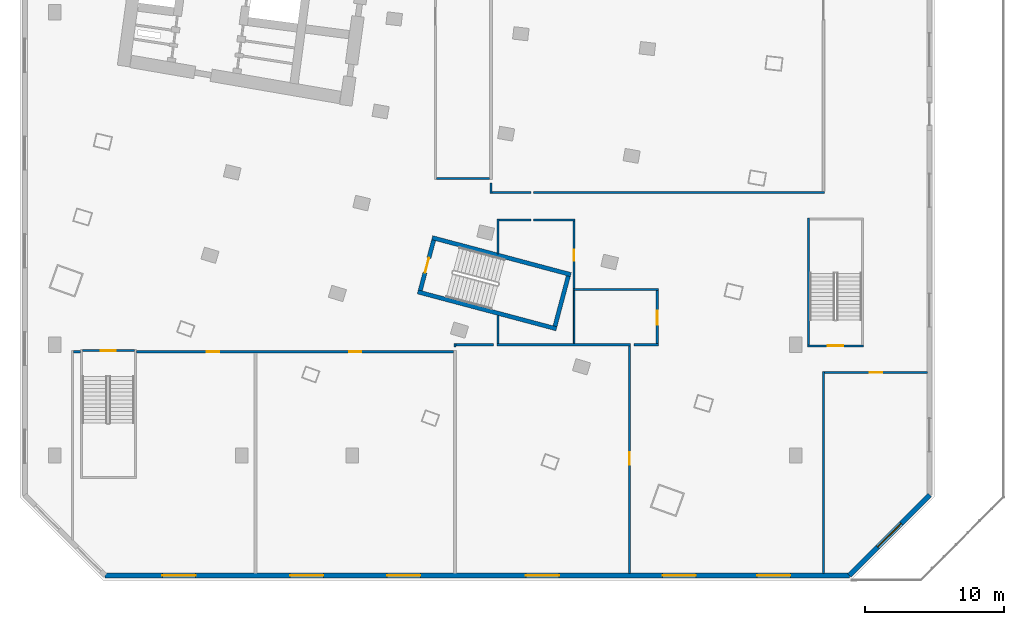
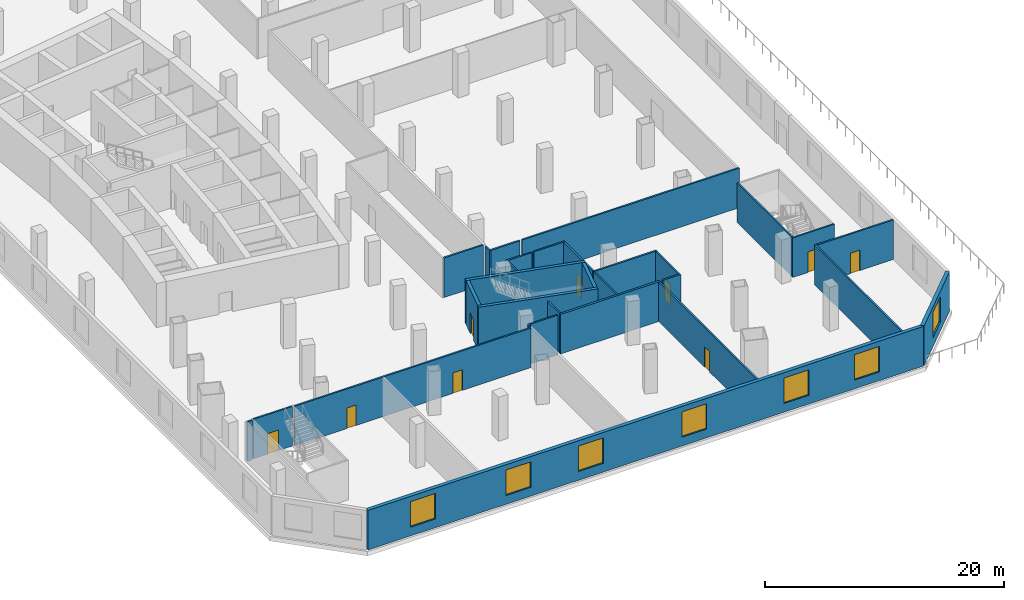
# One storey, part 2 of 14: 30 walls, 9 doors, 7 windows, 16 openings.
"""IFC4 building model written with IfcOpenShell, lengths in metres."""

import ifcopenshell
import ifcopenshell.guid

model = None  # the IFC model being written
_history = None  # IfcOwnerHistory: only IFC2X3 demands one
_inside = {}  # id of a spatial element -> (the spatial element, [elements in it])
_under = {}  # id of a project, library or spatial element -> (it, [spatial elements below it])
_declared = {}  # id of a project -> (the project, [libraries it declares])
_typed = {}  # id of a type object -> (the type object, [elements of that type])
_made_of = {}  # id of a material, layer set ... -> (it, [elements and type objects made of it])


def new_model(schema):
    """Start an empty IFC model of exactly this schema.

    Asked for "IFC4X3", IfcOpenShell would pick the latest addendum, in which some entities
    have other attributes; the version numbers below select the first issue.
    IFC2X3 requires an IfcOwnerHistory on every rooted entity: one is made here for all.
    """
    global model, _history
    if schema == "IFC4X3":
        model = ifcopenshell.file(schema_version=(4, 3, 0, 0))
    else:
        model = ifcopenshell.file(schema=schema)
    _inside.clear()
    _under.clear()
    _declared.clear()
    _typed.clear()
    _made_of.clear()
    _history = None
    if model.schema == "IFC2X3":
        org = make("IfcOrganization", Name="unknown")
        user = make(
            "IfcPersonAndOrganization",
            ThePerson=make("IfcPerson", FamilyName="unknown"),
            TheOrganization=org,
        )
        app = make(
            "IfcApplication",
            ApplicationDeveloper=org,
            Version="unknown",
            ApplicationFullName="unknown",
            ApplicationIdentifier="unknown",
        )
        _history = make(
            "IfcOwnerHistory",
            OwningUser=user,
            OwningApplication=app,
            ChangeAction="ADDED",
            CreationDate=0,
        )
    return model


def make(cls, **values):
    """One entity of the class cls with the attributes given. An attribute that is None is left unset."""
    return model.create_entity(
        cls, **{name: value for name, value in values.items() if value is not None}
    )


def rooted(cls, **values):
    """An entity with a GlobalId (a new one), such as an element, a storey or a relation."""
    return make(cls, GlobalId=ifcopenshell.guid.new(), OwnerHistory=_history, **values)


def si_unit(unit_type, name, prefix=None):
    """IfcSIUnit, for example si_unit("LENGTHUNIT", "METRE", prefix="MILLI")."""
    return make("IfcSIUnit", UnitType=unit_type, Prefix=prefix, Name=name)


def assignment(units):
    """IfcUnitAssignment: the units of a project."""
    return None if units is None else make("IfcUnitAssignment", Units=units)


def point(xyz):
    """IfcCartesianPoint."""
    return None if xyz is None else make("IfcCartesianPoint", Coordinates=xyz)


def direction(xyz):
    """IfcDirection."""
    return None if xyz is None else make("IfcDirection", DirectionRatios=xyz)


def frame(location, z_axis=None, x_axis=None):
    """IfcAxis2Placement3D, a coordinate frame: its origin and axes. An axis left out is left unset."""
    return make(
        "IfcAxis2Placement3D",
        Location=point(location),
        Axis=direction(z_axis),
        RefDirection=direction(x_axis),
    )


def frame_2d(location, x_axis=None):
    """IfcAxis2Placement2D, a coordinate frame in the plane: its origin and x axis."""
    return make(
        "IfcAxis2Placement2D", Location=point(location), RefDirection=direction(x_axis)
    )


def origin():
    """The frame at (0, 0, 0) with its axes left unset."""
    return frame((0.0, 0.0, 0.0))


def place(relative_to, where):
    """IfcLocalPlacement: puts the frame where relative to a parent placement (None: the world)."""
    return make(
        "IfcLocalPlacement", PlacementRelTo=relative_to, RelativePlacement=where
    )


def context(
    kind, dimensions, precision=None, world=None, true_north=None, identifier=None
):
    """IfcGeometricRepresentationContext, for example the 3D "Model" context."""
    return make(
        "IfcGeometricRepresentationContext",
        ContextIdentifier=identifier,
        ContextType=kind,
        CoordinateSpaceDimension=dimensions,
        Precision=precision,
        WorldCoordinateSystem=world,
        TrueNorth=true_north,
    )


def subcontext(parent, identifier, kind, view, scale=None):
    """IfcGeometricRepresentationSubContext, for example "Body" below "Model"."""
    return make(
        "IfcGeometricRepresentationSubContext",
        ContextIdentifier=identifier,
        ContextType=kind,
        ParentContext=parent,
        TargetScale=scale,
        TargetView=view,
    )


def project(units=None, contexts=None):
    """IfcProject with its units and contexts."""
    return rooted(
        "IfcProject",
        Name="project",
        RepresentationContexts=contexts,
        UnitsInContext=assignment(units),
    )


def spatial(cls, under=None, at=None, **own):
    """A site, building, storey or space (cls), placed at a placement, below another one or the project."""
    s = rooted(cls, ObjectPlacement=at, **own)
    if under is not None:
        _under.setdefault(under.id(), (under, []))[1].append(s)
    return s


def profile(cls, at=None, kind="AREA", **sizes):
    """A parametric profile (cls). Its sizes go by their IFC names, for example OverallWidth=200.0."""
    return make(cls, ProfileType=kind, Position=at, **sizes)


def rectangle(**sizes):
    """IfcRectangleProfileDef."""
    return profile("IfcRectangleProfileDef", **sizes)


def extrude(swept, where, along, depth):
    """IfcExtrudedAreaSolid: the profile swept, set in the frame where, extruded along a direction by depth."""
    return make(
        "IfcExtrudedAreaSolid",
        SweptArea=swept,
        Position=where,
        ExtrudedDirection=direction(along),
        Depth=depth,
    )


def shape(context_of_items, identifier, shape_type, items):
    """IfcShapeRepresentation: the items that make up one representation, for example the "Body"."""
    return make(
        "IfcShapeRepresentation",
        ContextOfItems=context_of_items,
        RepresentationIdentifier=identifier,
        RepresentationType=shape_type,
        Items=items,
    )


def material(Name=None, Category=None):
    """IfcMaterial."""
    return make("IfcMaterial", Name=Name, Category=Category)


def layer(
    of_material, thickness, ventilated=None, Name=None, Category=None, Priority=None
):
    """IfcMaterialLayer: one layer of a wall or slab, of a material (None: an air gap)."""
    return make(
        "IfcMaterialLayer",
        Material=of_material,
        LayerThickness=thickness,
        IsVentilated=ventilated,
        Name=Name,
        Category=Category,
        Priority=Priority,
    )


def layer_set(layers, Name=None):
    """IfcMaterialLayerSet."""
    return make("IfcMaterialLayerSet", MaterialLayers=layers, LayerSetName=Name)


def made_of(thing, what):
    """Note that an element or type object is made of a material, layer set ...; save() writes the relation."""
    if what is not None:
        _made_of.setdefault(what.id(), (what, []))[1].append(thing)
    return thing


def type_object(cls, material=None, **own):
    """A type object (cls), such as IfcWallType, which elements share."""
    return made_of(rooted(cls, **own), material)


def element(
    cls,
    number,
    at=None,
    inside=None,
    cuts=None,
    type_object=None,
    material=None,
    context=None,
    identifier="Body",
    shape_type=None,
    held_by="IfcProductDefinitionShape",
    body=None,
    shapes=None,
    **own,
):
    """One element of the class cls, such as IfcWall. Its Tag is "e" and its number.

    at: its placement. inside: the storey or other place that contains it. cuts: it is an
    opening in that element (IfcRelVoidsElement). A single representation is given by context,
    identifier, shape_type and body (its items); several are given by shapes. held_by: the class
    of the entity that holds the representations. save() writes the other relations.
    """
    e = rooted(cls, Tag="e%d" % number, ObjectPlacement=at, **own)
    if body is not None:
        shapes = [shape(context, identifier, shape_type, body)]
    if shapes is not None:
        e.Representation = make(held_by, Representations=shapes)
    if inside is not None:
        _inside.setdefault(inside.id(), (inside, []))[1].append(e)
    if cuts is not None:
        rooted(
            "IfcRelVoidsElement", RelatingBuildingElement=cuts, RelatedOpeningElement=e
        )
    if type_object is not None:
        _typed.setdefault(type_object.id(), (type_object, []))[1].append(e)
    return made_of(e, material)


def fill(opening, filler):
    """IfcRelFillsElement: the door or window that sits in an opening."""
    return rooted(
        "IfcRelFillsElement",
        RelatingOpeningElement=opening,
        RelatedBuildingElement=filler,
    )


def aggregate(whole, parts):
    """IfcRelAggregates: a whole, such as a stair, and the parts it consists of."""
    return rooted("IfcRelAggregates", RelatingObject=whole, RelatedObjects=parts)


def save(model, path):
    """Write the relations noted so far, then the file.

    IfcRelAggregates (storeys below a building ...), IfcRelContainedInSpatialStructure (elements
    in a storey), IfcRelDefinesByType, IfcRelAssociatesMaterial and IfcRelDeclares: one each for
    every whole, place, type object, material and project.
    """
    for whole, parts in _under.values():
        aggregate(whole, parts)
    for where, things in _inside.values():
        rooted(
            "IfcRelContainedInSpatialStructure",
            RelatedElements=things,
            RelatingStructure=where,
        )
    for kind, things in _typed.values():
        rooted("IfcRelDefinesByType", RelatedObjects=things, RelatingType=kind)
    for what, things in _made_of.values():
        rooted("IfcRelAssociatesMaterial", RelatedObjects=things, RelatingMaterial=what)
    for by, libraries in _declared.values():
        rooted("IfcRelDeclares", RelatingContext=by, RelatedDefinitions=libraries)
    model.write(path)


model = new_model("IFC4")

# Units and contexts
model_context = context("Model", 3, precision=1e-05, world=origin(), true_north=direction((0.0, 1.0)))
body_context = subcontext(model_context, "Body", "Model", "MODEL_VIEW")
ifc_project = project(units=[si_unit("LENGTHUNIT", "METRE"), si_unit("AREAUNIT", "SQUARE_METRE"), si_unit("VOLUMEUNIT", "CUBIC_METRE"), si_unit("PLANEANGLEUNIT", "RADIAN"), si_unit("MASSUNIT", "GRAM", prefix="KILO")], contexts=[model_context])

# Site, building, storey
site_placement = place(None, origin())
site = spatial("IfcSite", under=ifc_project, at=site_placement, CompositionType="ELEMENT")
building_placement = place(site_placement, origin())
building = spatial("IfcBuilding", under=site, at=building_placement, Name="Alderwake Tower", CompositionType="ELEMENT")
storey_placement = place(building_placement, frame((0.0, 0.0, 23.0)))
storey = spatial("IfcBuildingStorey", under=building, at=storey_placement, Name="L04", CompositionType="ELEMENT", Elevation=23.0)

# Walls
ifc_material_1 = material(Name="Concrete C70/85", Category="concrete")
ifc_layer_1 = layer(ifc_material_1, 0.300048828125)
ifc_layer_set_1 = layer_set([ifc_layer_1], Name="Core wall stair enclosure 300 C70-85")
wall_type_1 = type_object("IfcWallType", Name="Core wall stair enclosure 300 C70-85", PredefinedType="SHEAR", material=ifc_layer_set_1)
for number, where, z_axis, x_axis, name in (
    (1, (37.75390625, 31.731201171875, 0.0), (0.0, 0.0, 1.0), (0.966309214305, -0.257383958996, 0.0), "Core wall CW.086"),
    (2, (36.71142578125, 27.817626953125, 0.0), (0.0, 0.0, 1.0), (0.966309214305, -0.257383958996, 0.0), "Core wall CW.088"),
):
    element("IfcWall", number, at=place(storey_placement, frame(where, z_axis=z_axis, x_axis=x_axis)), inside=storey, type_object=wall_type_1, Name=name, PredefinedType="SHEAR", context=body_context, shape_type="SweptSolid", body=[
        extrude(rectangle(XDim=10.360107421875, YDim=0.300048828125, at=frame_2d((5.18017578125, 0.0))), origin(), (0.0, 0.0, 1.0), 4.5),
    ])

# Wall, opening, door
wall_1_placement = place(storey_placement, frame((36.89501953125, 27.923828125, 0.0), z_axis=(0.0, 0.0, 1.0), x_axis=(0.257350630826, 0.966318090907, 0.0)))
wall_1 = element("IfcWall", 3, at=wall_1_placement, inside=storey, type_object=wall_type_1, Name="Core wall CW.087", PredefinedType="SHEAR", context=body_context, shape_type="SweptSolid", body=[
    extrude(rectangle(XDim=3.75, YDim=0.300048828125, at=frame_2d((1.875, 0.0))), origin(), (0.0, 0.0, 1.0), 4.5),
])
opening_1_placement = place(wall_1_placement, frame((1.324951171875, 0.0, 0.0)))
opening_1 = element("IfcOpeningElement", 4, at=opening_1_placement, cuts=wall_1, Name="Opening C065", PredefinedType="OPENING", context=body_context, shape_type="SweptSolid", body=[
    extrude(rectangle(XDim=1.10009765625, YDim=2.10009765625, at=frame_2d((0.550048828125, 1.050048828125))), frame((0.0, 0.159912109375, 0.0), z_axis=(0.0, -1.0, 0.0), x_axis=(1.0, 0.0, 0.0)), (0.0, 0.0, 1.0), 0.320068359375),
])
ifc_material_2 = material(Name="Steel-framed fire door leaf", Category="steel")
door_type_1 = type_object("IfcDoorType", Name="Core stair door 1100 fire-rated", OperationType="SINGLE_SWING_LEFT", PredefinedType="DOOR", material=ifc_material_2)
door_1_placement = place(opening_1_placement, origin())
door_1 = element("IfcDoor", 5, at=door_1_placement, inside=storey, type_object=door_type_1, Name="Stair door", OperationType="SINGLE_SWING_LEFT", OverallHeight=2.10009765625, OverallWidth=1.10009765625, PredefinedType="DOOR", context=body_context, shape_type="SweptSolid", body=[
    extrude(rectangle(XDim=1.10009765625, YDim=2.10009765625, at=frame_2d((0.550048828125, 1.050048828125))), frame((0.0, 0.02490234375, 0.0), z_axis=(0.0, -1.0, 0.0), x_axis=(1.0, 0.0, 0.0)), (0.0, 0.0, 1.0), 0.050048828125),
])
fill(opening_1, door_1)

# Walls
wall_2_placement = place(storey_placement, frame((46.6162109375, 25.334716796875, 0.0), z_axis=(0.0, 0.0, 1.0), x_axis=(0.257366821694, 0.966313778796, 0.0)))
element("IfcWall", 6, at=wall_2_placement, inside=storey, type_object=wall_type_1, Name="Core wall CW.085", PredefinedType="SHEAR", context=body_context, shape_type="SweptSolid", body=[
    extrude(rectangle(XDim=3.749755859375, YDim=0.300048828125, at=frame_2d((1.875, 0.0))), origin(), (0.0, 0.0, 1.0), 4.5),
])
ifc_material_3 = material(Name="Gypsum board on metal studs, rated")
ifc_layer_2 = layer(ifc_material_3, 0.159912109375)
ifc_layer_set_2 = layer_set([ifc_layer_2], Name="Corridor wall 160")
wall_type_2 = type_object("IfcWallType", Name="Corridor wall 160", PredefinedType="PARTITIONING", material=ifc_layer_set_2)
wall_3_placement = place(storey_placement, frame((11.87890625, 23.4990234375, 0.0), z_axis=(0.0, 0.0, 1.0), x_axis=(1.0, 0.0, 0.0)))
element("IfcWall", 7, at=wall_3_placement, inside=storey, type_object=wall_type_2, Name="WL/L04/W24", PredefinedType="PARTITIONING", context=body_context, shape_type="SweptSolid", body=[
    extrude(rectangle(XDim=0.47216796875, YDim=0.159912109375, at=frame_2d((0.236083984375, 0.0))), origin(), (0.0, 0.0, 1.0), 4.050048828125),
])

# Wall, openings, doors
wall_4_placement = place(storey_placement, frame((16.40087890625, 23.4990234375, 0.0), z_axis=(0.0, 0.0, 1.0), x_axis=(1.0, 0.0, 0.0)))
wall_4 = element("IfcWall", 8, at=wall_4_placement, inside=storey, type_object=wall_type_2, Name="WL/L04/W28", PredefinedType="PARTITIONING", context=body_context, shape_type="SweptSolid", body=[
    extrude(rectangle(XDim=22.898193359375, YDim=0.159912109375, at=frame_2d((11.44921875, 0.0))), origin(), (0.0, 0.0, 1.0), 4.050048828125),
])
opening_2_placement = place(wall_4_placement, frame((5.073974609375, 0.0, 0.0)))
opening_2 = element("IfcOpeningElement", 9, at=opening_2_placement, cuts=wall_4, Name="Opening L04-07", PredefinedType="OPENING", context=body_context, shape_type="SweptSolid", body=[
    extrude(rectangle(XDim=0.89990234375, YDim=2.10009765625, at=frame_2d((0.449951171875, 1.050048828125))), frame((0.0, 0.08984375, 0.0), z_axis=(0.0, -1.0, 0.0), x_axis=(1.0, 0.0, 0.0)), (0.0, 0.0, 1.0), 0.179931640625),
])
opening_3_placement = place(wall_4_placement, frame((15.34912109375, 0.0, 0.0)))
opening_3 = element("IfcOpeningElement", 10, at=opening_3_placement, cuts=wall_4, Name="Opening L04-08", PredefinedType="OPENING", context=body_context, shape_type="SweptSolid", body=[
    extrude(rectangle(XDim=0.89990234375, YDim=2.10009765625, at=frame_2d((0.449951171875, 1.050048828125))), frame((0.0, 0.08984375, 0.0), z_axis=(0.0, -1.0, 0.0), x_axis=(1.0, 0.0, 0.0)), (0.0, 0.0, 1.0), 0.179931640625),
])
ifc_material_4 = material(Name="Painted timber leaf", Category="wood")
door_type_2 = type_object("IfcDoorType", Name="Room door 900", OperationType="SINGLE_SWING_LEFT", PredefinedType="DOOR", material=ifc_material_4)
door_2_placement = place(opening_2_placement, origin())
door_2 = element("IfcDoor", 11, at=door_2_placement, inside=storey, type_object=door_type_2, Name="DR/L04/07", OperationType="SINGLE_SWING_LEFT", OverallHeight=2.10009765625, OverallWidth=0.89990234375, PredefinedType="DOOR", context=body_context, shape_type="SweptSolid", body=[
    extrude(rectangle(XDim=0.89990234375, YDim=2.10009765625, at=frame_2d((0.449951171875, 1.050048828125))), frame((0.0, 0.02490234375, 0.0), z_axis=(0.0, -1.0, 0.0), x_axis=(1.0, 0.0, 0.0)), (0.0, 0.0, 1.0), 0.050048828125),
])
fill(opening_2, door_2)
door_3_placement = place(opening_3_placement, origin())
door_3 = element("IfcDoor", 12, at=door_3_placement, inside=storey, type_object=door_type_2, Name="DR/L04/08", OperationType="SINGLE_SWING_LEFT", OverallHeight=2.10009765625, OverallWidth=0.89990234375, PredefinedType="DOOR", context=body_context, shape_type="SweptSolid", body=[
    extrude(rectangle(XDim=0.89990234375, YDim=2.10009765625, at=frame_2d((0.449951171875, 1.050048828125))), frame((0.0, 0.02490234375, 0.0), z_axis=(0.0, -1.0, 0.0), x_axis=(1.0, 0.0, 0.0)), (0.0, 0.0, 1.0), 0.050048828125),
])
fill(opening_3, door_3)

# Walls
wall_5_placement = place(storey_placement, frame((39.39892578125, 23.832275390625, 0.0), z_axis=(0.0, 0.0, 1.0), x_axis=(0.0, 1.0, 0.0)))
element("IfcWall", 13, at=wall_5_placement, inside=storey, type_object=wall_type_2, Name="WL/L04/W35", PredefinedType="PARTITIONING", context=body_context, shape_type="SweptSolid", body=[
    extrude(rectangle(XDim=0.247802734375, YDim=0.159912109375, at=frame_2d((0.1240234375, 0.0))), origin(), (0.0, 0.0, 1.0), 4.050048828125),
])
wall_6_placement = place(storey_placement, frame((39.47900390625, 24.0, 0.0), z_axis=(0.0, 0.0, 1.0), x_axis=(1.0, 0.0, 0.0)))
element("IfcWall", 14, at=wall_6_placement, inside=storey, type_object=wall_type_2, Name="WL/L04/W36", PredefinedType="PARTITIONING", context=body_context, shape_type="SweptSolid", body=[
    extrude(rectangle(XDim=2.688720703125, YDim=0.159912109375, at=frame_2d((1.34423828125, 0.0))), origin(), (0.0, 0.0, 1.0), 4.050048828125),
])
wall_7_placement = place(storey_placement, frame((42.0, 34.9208984375, 0.0), z_axis=(0.0, 0.0, 1.0), x_axis=(0.0, 1.0, 0.0)))
element("IfcWall", 15, at=wall_7_placement, inside=storey, type_object=wall_type_2, Name="WL/L04/W37", PredefinedType="PARTITIONING", context=body_context, shape_type="SweptSolid", body=[
    extrude(rectangle(XDim=0.745849609375, YDim=0.159912109375, at=frame_2d((0.373046875, 0.0))), origin(), (0.0, 0.0, 1.0), 4.050048828125),
])
wall_8_placement = place(storey_placement, frame((41.89990234375, 36.0, 0.0), z_axis=(0.0, 0.0, 1.0), x_axis=(-1.0, 0.0, 0.0)))
element("IfcWall", 16, at=wall_8_placement, inside=storey, type_object=wall_type_2, Name="WL/L04/W38", PredefinedType="PARTITIONING", context=body_context, shape_type="SweptSolid", body=[
    extrude(rectangle(XDim=3.81884765625, YDim=0.159912109375, at=frame_2d((1.909423828125, 0.0))), origin(), (0.0, 0.0, 1.0), 4.050048828125),
])
wall_9_placement = place(storey_placement, frame((42.5009765625, 24.10009765625, 0.0), z_axis=(0.0, 0.0, 1.0), x_axis=(0.0, 1.0, 0.0)))
element("IfcWall", 17, at=wall_9_placement, inside=storey, type_object=wall_type_2, Name="WL/L04/W43", PredefinedType="PARTITIONING", context=body_context, shape_type="SweptSolid", body=[
    extrude(rectangle(XDim=2.02099609375, YDim=0.159912109375, at=frame_2d((1.010498046875, 0.0))), origin(), (0.0, 0.0, 1.0), 4.050048828125),
])
wall_10_placement = place(storey_placement, frame((42.5009765625, 30.541015625, 0.0), z_axis=(0.0, 0.0, 1.0), x_axis=(0.0, 1.0, 0.0)))
element("IfcWall", 18, at=wall_10_placement, inside=storey, type_object=wall_type_2, Name="WL/L04/W44", PredefinedType="PARTITIONING", context=body_context, shape_type="SweptSolid", body=[
    extrude(rectangle(XDim=2.5390625, YDim=0.159912109375, at=frame_2d((1.26953125, 0.0))), origin(), (0.0, 0.0, 1.0), 4.050048828125),
])
wall_11_placement = place(storey_placement, frame((42.5810546875, 33.0, 0.0), z_axis=(0.0, 0.0, 1.0), x_axis=(1.0, 0.0, 0.0)))
element("IfcWall", 19, at=wall_11_placement, inside=storey, type_object=wall_type_2, Name="WL/L04/W45", PredefinedType="PARTITIONING", context=body_context, shape_type="SweptSolid", body=[
    extrude(rectangle(XDim=2.2890625, YDim=0.159912109375, at=frame_2d((1.14453125, 0.0))), origin(), (0.0, 0.0, 1.0), 4.050048828125),
])
wall_12_placement = place(storey_placement, frame((44.8701171875, 35.0009765625, 0.0), z_axis=(0.0, 0.0, 1.0), x_axis=(-1.0, 0.0, 0.0)))
element("IfcWall", 20, at=wall_12_placement, inside=storey, type_object=wall_type_2, Name="WL/L04/W49", PredefinedType="PARTITIONING", context=body_context, shape_type="SweptSolid", body=[
    extrude(rectangle(XDim=2.7900390625, YDim=0.159912109375, at=frame_2d((1.39501953125, 0.0))), origin(), (0.0, 0.0, 1.0), 4.050048828125),
])
wall_13_placement = place(storey_placement, frame((45.07763671875, 33.0, 0.0), z_axis=(0.0, 0.0, 1.0), x_axis=(1.0, 0.0, 0.0)))
element("IfcWall", 21, at=wall_13_placement, inside=storey, type_object=wall_type_2, Name="WL/L04/W50", PredefinedType="PARTITIONING", context=body_context, shape_type="SweptSolid", body=[
    extrude(rectangle(XDim=3.00244140625, YDim=0.159912109375, at=frame_2d((1.501220703125, 0.0))), origin(), (0.0, 0.0, 1.0), 4.050048828125),
])
wall_14_placement = place(storey_placement, frame((47.919921875, 27.9990234375, 0.0), z_axis=(0.0, 0.0, 1.0), x_axis=(1.0, 0.0, 0.0)))
element("IfcWall", 22, at=wall_14_placement, inside=storey, type_object=wall_type_2, Name="WL/L04/W52", PredefinedType="PARTITIONING", context=body_context, shape_type="SweptSolid", body=[
    extrude(rectangle(XDim=6.16015625, YDim=0.159912109375, at=frame_2d((3.080078125, 0.0))), origin(), (0.0, 0.0, 1.0), 4.050048828125),
])

# Wall, opening, door
wall_15_placement = place(storey_placement, frame((48.0, 32.919921875, 0.0), z_axis=(0.0, 0.0, 1.0), x_axis=(0.0, -1.0, 0.0)))
wall_15 = element("IfcWall", 23, at=wall_15_placement, inside=storey, type_object=wall_type_2, Name="WL/L04/W53", PredefinedType="PARTITIONING", context=body_context, shape_type="SweptSolid", body=[
    extrude(rectangle(XDim=4.8408203125, YDim=0.159912109375, at=frame_2d((2.42041015625, 0.0))), origin(), (0.0, 0.0, 1.0), 4.050048828125),
])
opening_4_placement = place(wall_15_placement, frame((2.070068359375, 0.0, 0.0)))
opening_4 = element("IfcOpeningElement", 24, at=opening_4_placement, cuts=wall_15, Name="Opening L04-11", PredefinedType="OPENING", context=body_context, shape_type="SweptSolid", body=[
    extrude(rectangle(XDim=0.800048828125, YDim=2.10009765625, at=frame_2d((0.39990234375, 1.050048828125))), frame((0.0, 0.08984375, 0.0), z_axis=(0.0, -1.0, 0.0), x_axis=(1.0, 0.0, 0.0)), (0.0, 0.0, 1.0), 0.179931640625),
])
ifc_material_5 = material(Name="Painted timber leaf", Category="wood")
door_type_3 = type_object("IfcDoorType", Name="Bathroom door 800", OperationType="SINGLE_SWING_LEFT", PredefinedType="DOOR", material=ifc_material_5)
door_4_placement = place(opening_4_placement, origin())
door_4 = element("IfcDoor", 25, at=door_4_placement, inside=storey, type_object=door_type_3, Name="DR/L04/11", OperationType="SINGLE_SWING_LEFT", OverallHeight=2.10009765625, OverallWidth=0.800048828125, PredefinedType="DOOR", context=body_context, shape_type="SweptSolid", body=[
    extrude(rectangle(XDim=0.800048828125, YDim=2.10009765625, at=frame_2d((0.39990234375, 1.050048828125))), frame((0.0, 0.02490234375, 0.0), z_axis=(0.0, -1.0, 0.0), x_axis=(1.0, 0.0, 0.0)), (0.0, 0.0, 1.0), 0.050048828125),
])
fill(opening_4, door_4)

wall_16_placement = place(storey_placement, frame((51.9990234375, 23.89990234375, 0.0), z_axis=(0.0, 0.0, 1.0), x_axis=(0.0, -1.0, 0.0)))
wall_16 = element("IfcWall", 26, at=wall_16_placement, inside=storey, type_object=wall_type_2, Name="WL/L04/W54", PredefinedType="PARTITIONING", context=body_context, shape_type="SweptSolid", body=[
    extrude(rectangle(XDim=16.39990234375, YDim=0.159912109375, at=frame_2d((8.199951171875, 0.0))), origin(), (0.0, 0.0, 1.0), 4.050048828125),
])
opening_5_placement = place(wall_16_placement, frame((7.64990234375, 0.0, 0.0)))
opening_5 = element("IfcOpeningElement", 27, at=opening_5_placement, cuts=wall_16, Name="Opening L04-09", PredefinedType="OPENING", context=body_context, shape_type="SweptSolid", body=[
    extrude(rectangle(XDim=0.89990234375, YDim=2.10009765625, at=frame_2d((0.449951171875, 1.050048828125))), frame((0.0, 0.08984375, 0.0), z_axis=(0.0, -1.0, 0.0), x_axis=(1.0, 0.0, 0.0)), (0.0, 0.0, 1.0), 0.179931640625),
])
door_5_placement = place(opening_5_placement, origin())
door_5 = element("IfcDoor", 28, at=door_5_placement, inside=storey, type_object=door_type_2, Name="DR/L04/09", OperationType="SINGLE_SWING_LEFT", OverallHeight=2.10009765625, OverallWidth=0.89990234375, PredefinedType="DOOR", context=body_context, shape_type="SweptSolid", body=[
    extrude(rectangle(XDim=0.89990234375, YDim=2.10009765625, at=frame_2d((0.449951171875, 1.050048828125))), frame((0.0, 0.02490234375, 0.0), z_axis=(0.0, -1.0, 0.0), x_axis=(1.0, 0.0, 0.0)), (0.0, 0.0, 1.0), 0.050048828125),
])
fill(opening_5, door_5)

# Wall
wall_17_placement = place(storey_placement, frame((54.080078125, 24.0, 0.0), z_axis=(0.0, 0.0, 1.0), x_axis=(-1.0, 0.0, 0.0)))
element("IfcWall", 29, at=wall_17_placement, inside=storey, type_object=wall_type_2, Name="WL/L04/W55", PredefinedType="PARTITIONING", context=body_context, shape_type="SweptSolid", body=[
    extrude(rectangle(XDim=1.747802734375, YDim=0.159912109375, at=frame_2d((0.8740234375, 0.0))), origin(), (0.0, 0.0, 1.0), 4.050048828125),
])

# Wall, opening, door
wall_18_placement = place(storey_placement, frame((54.0, 27.9189453125, 0.0), z_axis=(0.0, 0.0, 1.0), x_axis=(0.0, -1.0, 0.0)))
wall_18 = element("IfcWall", 30, at=wall_18_placement, inside=storey, type_object=wall_type_2, Name="WL/L04/W56", PredefinedType="PARTITIONING", context=body_context, shape_type="SweptSolid", body=[
    extrude(rectangle(XDim=3.8388671875, YDim=0.159912109375, at=frame_2d((1.91943359375, 0.0))), origin(), (0.0, 0.0, 1.0), 4.050048828125),
])
opening_6_placement = place(wall_18_placement, frame((1.468994140625, 0.0, 0.0)))
opening_6 = element("IfcOpeningElement", 31, at=opening_6_placement, cuts=wall_18, Name="Opening L04-12", PredefinedType="OPENING", context=body_context, shape_type="SweptSolid", body=[
    extrude(rectangle(XDim=1.0, YDim=2.10009765625, at=frame_2d((0.5, 1.050048828125))), frame((0.0, 0.08984375, 0.0), z_axis=(0.0, -1.0, 0.0), x_axis=(1.0, 0.0, 0.0)), (0.0, 0.0, 1.0), 0.179931640625),
])
ifc_material_6 = material(Name="Painted timber leaf", Category="wood")
door_type_4 = type_object("IfcDoorType", Name="Accessible WC door 1000", OperationType="SINGLE_SWING_LEFT", PredefinedType="DOOR", material=ifc_material_6)
door_6_placement = place(opening_6_placement, origin())
door_6 = element("IfcDoor", 32, at=door_6_placement, inside=storey, type_object=door_type_4, Name="DR/L04/12", OperationType="SINGLE_SWING_LEFT", OverallHeight=2.10009765625, OverallWidth=1.0, PredefinedType="DOOR", context=body_context, shape_type="SweptSolid", body=[
    extrude(rectangle(XDim=1.0, YDim=2.10009765625, at=frame_2d((0.5, 1.050048828125))), frame((0.0, 0.02490234375, 0.0), z_axis=(0.0, -1.0, 0.0), x_axis=(1.0, 0.0, 0.0)), (0.0, 0.0, 1.0), 0.050048828125),
])
fill(opening_6, door_6)

# Wall
wall_19_placement = place(storey_placement, frame((66.0, 7.5, 0.0), z_axis=(0.0, 0.0, 1.0), x_axis=(0.0, 1.0, 0.0)))
element("IfcWall", 33, at=wall_19_placement, inside=storey, type_object=wall_type_2, Name="WL/L04/W58", PredefinedType="PARTITIONING", context=body_context, shape_type="SweptSolid", body=[
    extrude(rectangle(XDim=14.5791015625, YDim=0.159912109375, at=frame_2d((7.28955078125, 0.0))), origin(), (0.0, 0.0, 1.0), 4.050048828125),
])

# Wall, opening, door
wall_20_placement = place(storey_placement, frame((66.080078125, 21.9990234375, 0.0), z_axis=(0.0, 0.0, 1.0), x_axis=(1.0, 0.0, 0.0)))
wall_20 = element("IfcWall", 34, at=wall_20_placement, inside=storey, type_object=wall_type_2, Name="WL/L04/W59", PredefinedType="PARTITIONING", context=body_context, shape_type="SweptSolid", body=[
    extrude(rectangle(XDim=7.419921875, YDim=0.159912109375, at=frame_2d((3.7099609375, 0.0))), origin(), (0.0, 0.0, 1.0), 4.050048828125),
])
opening_7_placement = place(wall_20_placement, frame((3.27001953125, 0.0, 0.0)))
opening_7 = element("IfcOpeningElement", 35, at=opening_7_placement, cuts=wall_20, Name="Opening L04-10", PredefinedType="OPENING", context=body_context, shape_type="SweptSolid", body=[
    extrude(rectangle(XDim=0.89990234375, YDim=2.10009765625, at=frame_2d((0.449951171875, 1.050048828125))), frame((0.0, 0.08984375, 0.0), z_axis=(0.0, -1.0, 0.0), x_axis=(1.0, 0.0, 0.0)), (0.0, 0.0, 1.0), 0.179931640625),
])
door_7_placement = place(opening_7_placement, origin())
door_7 = element("IfcDoor", 36, at=door_7_placement, inside=storey, type_object=door_type_2, Name="DR/L04/10", OperationType="SINGLE_SWING_LEFT", OverallHeight=2.10009765625, OverallWidth=0.89990234375, PredefinedType="DOOR", context=body_context, shape_type="SweptSolid", body=[
    extrude(rectangle(XDim=0.89990234375, YDim=2.10009765625, at=frame_2d((0.449951171875, 1.050048828125))), frame((0.0, 0.02490234375, 0.0), z_axis=(0.0, -1.0, 0.0), x_axis=(1.0, 0.0, 0.0)), (0.0, 0.0, 1.0), 0.050048828125),
])
fill(opening_7, door_7)

# Wall
wall_21_placement = place(storey_placement, frame((66.080078125, 35.0009765625, 0.0), z_axis=(0.0, 0.0, 1.0), x_axis=(-1.0, 0.0, 0.0)))
element("IfcWall", 37, at=wall_21_placement, inside=storey, type_object=wall_type_2, Name="WL/L04/W60", PredefinedType="PARTITIONING", context=body_context, shape_type="SweptSolid", body=[
    extrude(rectangle(XDim=21.00244140625, YDim=0.159912109375, at=frame_2d((10.501220703125, 0.0))), origin(), (0.0, 0.0, 1.0), 4.050048828125),
])

# Wall, openings, windows
ifc_material_7 = material(Name="Precast concrete C50/60 spandrel panel", Category="concrete")
ifc_layer_3 = layer(ifc_material_7, 0.35009765625)
ifc_layer_set_3 = layer_set([ifc_layer_3], Name="External wall EW4 Precast concrete C50/60 podium")
wall_type_3 = type_object("IfcWallType", Name="External wall EW4 Precast concrete C50/60 podium", PredefinedType="SOLIDWALL", material=ifc_layer_set_3)
wall_22_placement = place(storey_placement, frame((14.14501953125, 7.35009765625, 0.0), z_axis=(0.0, 0.0, 1.0), x_axis=(1.0, 0.0, 0.0)))
wall_22 = element("IfcWall", 38, at=wall_22_placement, inside=storey, type_object=wall_type_3, Name="External wall 1", PredefinedType="SOLIDWALL", context=body_context, shape_type="SweptSolid", body=[
    extrude(rectangle(XDim=53.72509765625, YDim=0.35009765625, at=frame_2d((26.862548828125, 0.0))), origin(), (0.0, 0.0, 1.0), 4.050048828125),
])
opening_8_placement = place(wall_22_placement, frame((4.126953125, 0.0, 0.89990234375)))
opening_8 = element("IfcOpeningElement", 39, at=opening_8_placement, cuts=wall_22, Name="Opening W6", PredefinedType="OPENING", context=body_context, shape_type="SweptSolid", body=[
    extrude(rectangle(XDim=2.39990234375, YDim=2.60009765625, at=frame_2d((1.199951171875, 1.300048828125))), frame((0.0, 0.18505859375, 0.0), z_axis=(0.0, -1.0, 0.0), x_axis=(1.0, 0.0, 0.0)), (0.0, 0.0, 1.0), 0.3701171875),
])
opening_9_placement = place(wall_22_placement, frame((13.35400390625, 0.0, 0.89990234375)))
opening_9 = element("IfcOpeningElement", 40, at=opening_9_placement, cuts=wall_22, Name="Opening W6", PredefinedType="OPENING", context=body_context, shape_type="SweptSolid", body=[
    extrude(rectangle(XDim=2.39990234375, YDim=2.60009765625, at=frame_2d((1.199951171875, 1.300048828125))), frame((0.0, 0.18505859375, 0.0), z_axis=(0.0, -1.0, 0.0), x_axis=(1.0, 0.0, 0.0)), (0.0, 0.0, 1.0), 0.3701171875),
])
opening_10_placement = place(wall_22_placement, frame((20.35400390625, 0.0, 0.89990234375)))
opening_10 = element("IfcOpeningElement", 41, at=opening_10_placement, cuts=wall_22, Name="Opening W6", PredefinedType="OPENING", context=body_context, shape_type="SweptSolid", body=[
    extrude(rectangle(XDim=2.39990234375, YDim=2.60009765625, at=frame_2d((1.199951171875, 1.300048828125))), frame((0.0, 0.18505859375, 0.0), z_axis=(0.0, -1.0, 0.0), x_axis=(1.0, 0.0, 0.0)), (0.0, 0.0, 1.0), 0.3701171875),
])
opening_11_placement = place(wall_22_placement, frame((30.364013671875, 0.0, 0.89990234375)))
opening_11 = element("IfcOpeningElement", 42, at=opening_11_placement, cuts=wall_22, Name="Opening W6", PredefinedType="OPENING", context=body_context, shape_type="SweptSolid", body=[
    extrude(rectangle(XDim=2.39990234375, YDim=2.60009765625, at=frame_2d((1.199951171875, 1.300048828125))), frame((0.0, 0.18505859375, 0.0), z_axis=(0.0, -1.0, 0.0), x_axis=(1.0, 0.0, 0.0)), (0.0, 0.0, 1.0), 0.3701171875),
])
opening_12_placement = place(wall_22_placement, frame((40.244384765625, 0.0, 0.89990234375)))
opening_12 = element("IfcOpeningElement", 43, at=opening_12_placement, cuts=wall_22, Name="Opening W6", PredefinedType="OPENING", context=body_context, shape_type="SweptSolid", body=[
    extrude(rectangle(XDim=2.39990234375, YDim=2.60009765625, at=frame_2d((1.199951171875, 1.300048828125))), frame((0.0, 0.18505859375, 0.0), z_axis=(0.0, -1.0, 0.0), x_axis=(1.0, 0.0, 0.0)), (0.0, 0.0, 1.0), 0.3701171875),
])
opening_13_placement = place(wall_22_placement, frame((47.064697265625, 0.0, 0.89990234375)))
opening_13 = element("IfcOpeningElement", 44, at=opening_13_placement, cuts=wall_22, Name="Opening W6", PredefinedType="OPENING", context=body_context, shape_type="SweptSolid", body=[
    extrude(rectangle(XDim=2.39990234375, YDim=2.60009765625, at=frame_2d((1.199951171875, 1.300048828125))), frame((0.0, 0.18505859375, 0.0), z_axis=(0.0, -1.0, 0.0), x_axis=(1.0, 0.0, 0.0)), (0.0, 0.0, 1.0), 0.3701171875),
])
ifc_material_8 = material(Name="Bronze tinted glass in aluminium frame", Category="aluminium")
window_type = type_object("IfcWindowType", Name="Window W6 podium", PartitioningType="DOUBLE_PANEL_VERTICAL", PredefinedType="WINDOW", material=ifc_material_8)
window_1_placement = place(opening_8_placement, origin())
window_1 = element("IfcWindow", 45, at=window_1_placement, inside=storey, type_object=window_type, Name="Window W6 podium", OverallHeight=2.60009765625, OverallWidth=2.39990234375, PartitioningType="DOUBLE_PANEL_VERTICAL", PredefinedType="WINDOW", context=body_context, shape_type="SweptSolid", body=[
    extrude(rectangle(XDim=2.39990234375, YDim=2.60009765625, at=frame_2d((1.199951171875, 1.300048828125))), frame((0.0, 0.030029296875, 0.0), z_axis=(0.0, -1.0, 0.0), x_axis=(1.0, 0.0, 0.0)), (0.0, 0.0, 1.0), 0.06005859375),
])
fill(opening_8, window_1)
window_2_placement = place(opening_9_placement, origin())
window_2 = element("IfcWindow", 46, at=window_2_placement, inside=storey, type_object=window_type, Name="Window W6 podium", OverallHeight=2.60009765625, OverallWidth=2.39990234375, PartitioningType="DOUBLE_PANEL_VERTICAL", PredefinedType="WINDOW", context=body_context, shape_type="SweptSolid", body=[
    extrude(rectangle(XDim=2.39990234375, YDim=2.60009765625, at=frame_2d((1.199951171875, 1.300048828125))), frame((0.0, 0.030029296875, 0.0), z_axis=(0.0, -1.0, 0.0), x_axis=(1.0, 0.0, 0.0)), (0.0, 0.0, 1.0), 0.06005859375),
])
fill(opening_9, window_2)
window_3_placement = place(opening_10_placement, origin())
window_3 = element("IfcWindow", 47, at=window_3_placement, inside=storey, type_object=window_type, Name="Window W6 podium", OverallHeight=2.60009765625, OverallWidth=2.39990234375, PartitioningType="DOUBLE_PANEL_VERTICAL", PredefinedType="WINDOW", context=body_context, shape_type="SweptSolid", body=[
    extrude(rectangle(XDim=2.39990234375, YDim=2.60009765625, at=frame_2d((1.199951171875, 1.300048828125))), frame((0.0, 0.030029296875, 0.0), z_axis=(0.0, -1.0, 0.0), x_axis=(1.0, 0.0, 0.0)), (0.0, 0.0, 1.0), 0.06005859375),
])
fill(opening_10, window_3)
window_4_placement = place(opening_11_placement, origin())
window_4 = element("IfcWindow", 48, at=window_4_placement, inside=storey, type_object=window_type, Name="Window W6 podium", OverallHeight=2.60009765625, OverallWidth=2.39990234375, PartitioningType="DOUBLE_PANEL_VERTICAL", PredefinedType="WINDOW", context=body_context, shape_type="SweptSolid", body=[
    extrude(rectangle(XDim=2.39990234375, YDim=2.60009765625, at=frame_2d((1.199951171875, 1.300048828125))), frame((0.0, 0.030029296875, 0.0), z_axis=(0.0, -1.0, 0.0), x_axis=(1.0, 0.0, 0.0)), (0.0, 0.0, 1.0), 0.06005859375),
])
fill(opening_11, window_4)
window_5_placement = place(opening_12_placement, origin())
window_5 = element("IfcWindow", 49, at=window_5_placement, inside=storey, type_object=window_type, Name="Window W6 podium", OverallHeight=2.60009765625, OverallWidth=2.39990234375, PartitioningType="DOUBLE_PANEL_VERTICAL", PredefinedType="WINDOW", context=body_context, shape_type="SweptSolid", body=[
    extrude(rectangle(XDim=2.39990234375, YDim=2.60009765625, at=frame_2d((1.199951171875, 1.300048828125))), frame((0.0, 0.030029296875, 0.0), z_axis=(0.0, -1.0, 0.0), x_axis=(1.0, 0.0, 0.0)), (0.0, 0.0, 1.0), 0.06005859375),
])
fill(opening_12, window_5)
window_6_placement = place(opening_13_placement, origin())
window_6 = element("IfcWindow", 50, at=window_6_placement, inside=storey, type_object=window_type, Name="Window W6 podium", OverallHeight=2.60009765625, OverallWidth=2.39990234375, PartitioningType="DOUBLE_PANEL_VERTICAL", PredefinedType="WINDOW", context=body_context, shape_type="SweptSolid", body=[
    extrude(rectangle(XDim=2.39990234375, YDim=2.60009765625, at=frame_2d((1.199951171875, 1.300048828125))), frame((0.0, 0.030029296875, 0.0), z_axis=(0.0, -1.0, 0.0), x_axis=(1.0, 0.0, 0.0)), (0.0, 0.0, 1.0), 0.06005859375),
])
fill(opening_13, window_6)

# Wall, opening, window
wall_23_placement = place(storey_placement, frame((67.85498046875, 7.35009765625, 0.0), z_axis=(0.0, 0.0, 1.0), x_axis=(0.707121649021, 0.707091913039, 0.0)))
wall_23 = element("IfcWall", 51, at=wall_23_placement, inside=storey, type_object=wall_type_3, Name="External wall 2", PredefinedType="SOLIDWALL", context=body_context, shape_type="SweptSolid", body=[
    extrude(rectangle(XDim=8.210205078125, YDim=0.35009765625, at=frame_2d((4.10498046875, 0.0))), origin(), (0.0, 0.0, 1.0), 4.050048828125),
])
opening_14_placement = place(wall_23_placement, frame((2.9052734375, 0.0, 0.89990234375)))
opening_14 = element("IfcOpeningElement", 52, at=opening_14_placement, cuts=wall_23, Name="Opening W6", PredefinedType="OPENING", context=body_context, shape_type="SweptSolid", body=[
    extrude(rectangle(XDim=2.39990234375, YDim=2.60009765625, at=frame_2d((1.199951171875, 1.300048828125))), frame((0.0, 0.18505859375, 0.0), z_axis=(0.0, -1.0, 0.0), x_axis=(1.0, 0.0, 0.0)), (0.0, 0.0, 1.0), 0.3701171875),
])
window_7_placement = place(opening_14_placement, origin())
window_7 = element("IfcWindow", 53, at=window_7_placement, inside=storey, type_object=window_type, Name="Window W6 podium", OverallHeight=2.60009765625, OverallWidth=2.39990234375, PartitioningType="DOUBLE_PANEL_VERTICAL", PredefinedType="WINDOW", context=body_context, shape_type="SweptSolid", body=[
    extrude(rectangle(XDim=2.39990234375, YDim=2.60009765625, at=frame_2d((1.199951171875, 1.300048828125))), frame((0.0, 0.030029296875, 0.0), z_axis=(0.0, -1.0, 0.0), x_axis=(1.0, 0.0, 0.0)), (0.0, 0.0, 1.0), 0.06005859375),
])
fill(opening_14, window_7)

# Wall
ifc_material_9 = material(Name="Dense block masonry wall", Category="masonry")
ifc_layer_4 = layer(ifc_material_9, 0.199951171875)
ifc_layer_set_4 = layer_set([ifc_layer_4], Name="Party wall 200")
wall_type_4 = type_object("IfcWallType", Name="Party wall 200", PredefinedType="SOLIDWALL", material=ifc_layer_set_4)
wall_24_placement = place(storey_placement, frame((52.0791015625, 24.0, 0.0), z_axis=(0.0, 0.0, 1.0), x_axis=(-1.0, 0.0, 0.0)))
element("IfcWall", 54, at=wall_24_placement, inside=storey, type_object=wall_type_4, Name="WL/L04/W05", PredefinedType="SOLIDWALL", context=body_context, shape_type="SweptSolid", body=[
    extrude(rectangle(XDim=9.658203125, YDim=0.199951171875, at=frame_2d((4.8291015625, 0.0))), origin(), (0.0, 0.0, 1.0), 4.050048828125),
])

# Wall, opening, door
ifc_material_10 = material(Name="Gypsum shaft wall system, rated")
ifc_layer_5 = layer(ifc_material_10, 0.14990234375)
ifc_layer_set_5 = layer_set([ifc_layer_5], Name="Riser and shaft wall 150")
wall_type_5 = type_object("IfcWallType", Name="Riser and shaft wall 150", PredefinedType="PARTITIONING", material=ifc_layer_set_5)
wall_25_placement = place(storey_placement, frame((12.5009765625, 23.573974609375, 0.0), z_axis=(0.0, 0.0, 1.0), x_axis=(1.0, 0.0, 0.0)))
wall_25 = element("IfcWall", 55, at=wall_25_placement, inside=storey, type_object=wall_type_5, Name="WL/L04/W12", PredefinedType="PARTITIONING", context=body_context, shape_type="SweptSolid", body=[
    extrude(rectangle(XDim=3.75, YDim=0.14990234375, at=frame_2d((1.875, 0.0))), origin(), (0.0, 0.0, 1.0), 4.050048828125),
])
opening_15_placement = place(wall_25_placement, frame((1.323974609375, 0.0, 0.0)))
opening_15 = element("IfcOpeningElement", 56, at=opening_15_placement, cuts=wall_25, Name="Opening L04-14", PredefinedType="OPENING", context=body_context, shape_type="SweptSolid", body=[
    extrude(rectangle(XDim=1.10009765625, YDim=2.10009765625, at=frame_2d((0.550048828125, 1.050048828125))), frame((0.0, 0.0849609375, 0.0), z_axis=(0.0, -1.0, 0.0), x_axis=(1.0, 0.0, 0.0)), (0.0, 0.0, 1.0), 0.169921875),
])
ifc_material_11 = material(Name="Steel-framed fire door leaf", Category="steel")
door_type_5 = type_object("IfcDoorType", Name="Stair door 1100 fire-rated", OperationType="SINGLE_SWING_LEFT", PredefinedType="DOOR", material=ifc_material_11)
door_8_placement = place(opening_15_placement, origin())
door_8 = element("IfcDoor", 57, at=door_8_placement, inside=storey, type_object=door_type_5, Name="DR/L04/14", OperationType="SINGLE_SWING_LEFT", OverallHeight=2.10009765625, OverallWidth=1.10009765625, PredefinedType="DOOR", context=body_context, shape_type="SweptSolid", body=[
    extrude(rectangle(XDim=1.10009765625, YDim=2.10009765625, at=frame_2d((0.550048828125, 1.050048828125))), frame((0.0, 0.02490234375, 0.0), z_axis=(0.0, -1.0, 0.0), x_axis=(1.0, 0.0, 0.0)), (0.0, 0.0, 1.0), 0.050048828125),
])
fill(opening_15, door_8)

wall_26_placement = place(storey_placement, frame((68.90087890625, 23.925048828125, 0.0), z_axis=(0.0, 0.0, 1.0), x_axis=(-1.0, 0.0, 0.0)))
wall_26 = element("IfcWall", 58, at=wall_26_placement, inside=storey, type_object=wall_type_5, Name="WL/L04/W15", PredefinedType="PARTITIONING", context=body_context, shape_type="SweptSolid", body=[
    extrude(rectangle(XDim=4.0498046875, YDim=0.14990234375, at=frame_2d((2.02490234375, 0.0))), origin(), (0.0, 0.0, 1.0), 4.050048828125),
])
opening_16_placement = place(wall_26_placement, frame((1.47607421875, 0.0, 0.0)))
opening_16 = element("IfcOpeningElement", 59, at=opening_16_placement, cuts=wall_26, Name="Opening L04-17", PredefinedType="OPENING", context=body_context, shape_type="SweptSolid", body=[
    extrude(rectangle(XDim=1.10009765625, YDim=2.10009765625, at=frame_2d((0.550048828125, 1.050048828125))), frame((0.0, 0.0849609375, 0.0), z_axis=(0.0, -1.0, 0.0), x_axis=(1.0, 0.0, 0.0)), (0.0, 0.0, 1.0), 0.169921875),
])
door_9_placement = place(opening_16_placement, origin())
door_9 = element("IfcDoor", 60, at=door_9_placement, inside=storey, type_object=door_type_5, Name="DR/L04/17", OperationType="SINGLE_SWING_LEFT", OverallHeight=2.10009765625, OverallWidth=1.10009765625, PredefinedType="DOOR", context=body_context, shape_type="SweptSolid", body=[
    extrude(rectangle(XDim=1.10009765625, YDim=2.10009765625, at=frame_2d((0.550048828125, 1.050048828125))), frame((0.0, 0.02490234375, 0.0), z_axis=(0.0, -1.0, 0.0), x_axis=(1.0, 0.0, 0.0)), (0.0, 0.0, 1.0), 0.050048828125),
])
fill(opening_16, door_9)

# Walls
ifc_material_12 = material(Name="Concrete C40/50", Category="concrete")
ifc_layer_6 = layer(ifc_material_12, 0.14990234375)
ifc_layer_set_6 = layer_set([ifc_layer_6], Name="Stair shaft wall 150 C40/50")
wall_type_6 = type_object("IfcWallType", Name="Stair shaft wall 150 C40/50", PredefinedType="SHEAR", material=ifc_layer_set_6)
wall_27_placement = place(storey_placement, frame((64.926025390625, 33.14990234375, 0.0), z_axis=(0.0, 0.0, 1.0), x_axis=(0.0, -1.0, 0.0)))
element("IfcWall", 61, at=wall_27_placement, inside=storey, type_object=wall_type_6, Name="WL/L04/W16", PredefinedType="SHEAR", context=body_context, shape_type="SweptSolid", body=[
    extrude(rectangle(XDim=9.14990234375, YDim=0.14990234375, at=frame_2d((4.574951171875, 0.0))), origin(), (0.0, 0.0, 1.0), 4.050048828125),
])
ifc_material_13 = material(Name="Moisture resistant gypsum board on metal studs")
ifc_layer_7 = layer(ifc_material_13, 0.1201171875)
ifc_layer_set_7 = layer_set([ifc_layer_7], Name="Wet room partition 120")
wall_type_7 = type_object("IfcWallType", Name="Wet room partition 120", PredefinedType="PARTITIONING", material=ifc_layer_set_7)
wall_28_placement = place(storey_placement, frame((48.0, 24.10009765625, 0.0), z_axis=(0.0, 0.0, 1.0), x_axis=(0.0, 1.0, 0.0)))
element("IfcWall", 62, at=wall_28_placement, inside=storey, type_object=wall_type_7, Name="WL/L04/W64", PredefinedType="PARTITIONING", context=body_context, shape_type="SweptSolid", body=[
    extrude(rectangle(XDim=3.81884765625, YDim=0.1201171875, at=frame_2d((1.909423828125, 0.0))), origin(), (0.0, 0.0, 1.0), 4.050048828125),
])

save(model, "model.ifc")
